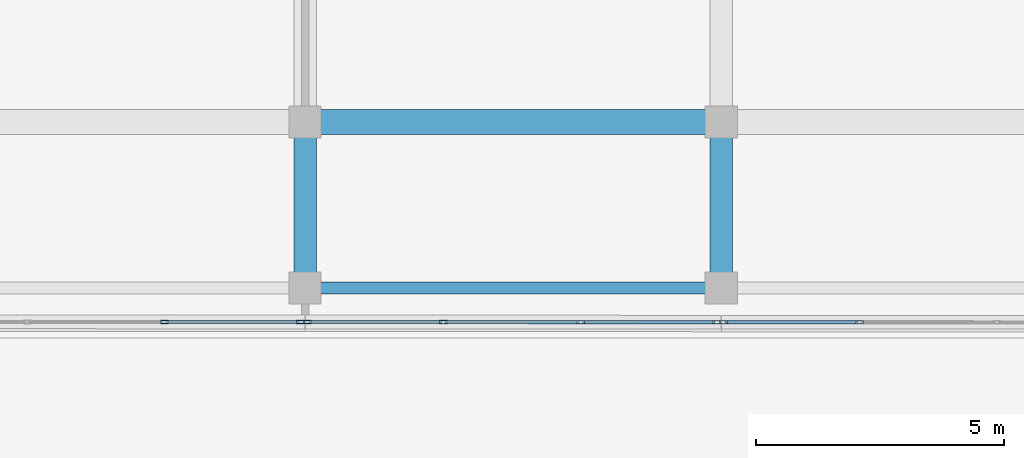
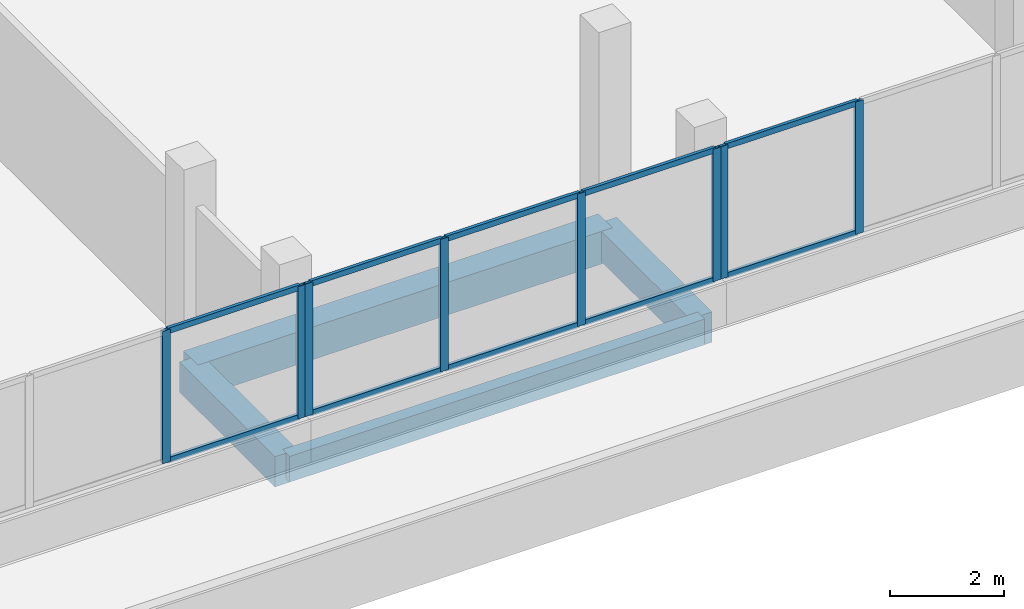
# One storey, part 15 of 78: 18 members, 4 beams, 3 elements without a shape of their own.
"""IFC4 building model written with IfcOpenShell, lengths in metres."""

from ifc_helpers import new_model, si_unit, direction, frame, origin, origin_2d, place, context, subcontext, project, spatial, rectangle, hollow_rectangle, extrude, material, material_profile, profile_set, type_object, element, aggregate, save


model = new_model("IFC4")

# Units and contexts
model_context = context("Model", 3, precision=1e-05, world=origin(), true_north=direction((0.0, 1.0)))
body_context = subcontext(model_context, "Body", "Model", "MODEL_VIEW")
ifc_project = project(units=[si_unit("LENGTHUNIT", "METRE"), si_unit("AREAUNIT", "SQUARE_METRE"), si_unit("VOLUMEUNIT", "CUBIC_METRE"), si_unit("PLANEANGLEUNIT", "RADIAN"), si_unit("MASSUNIT", "GRAM", prefix="KILO")], contexts=[model_context])

# Site, building, storey
site_placement = place(None, origin())
site = spatial("IfcSite", under=ifc_project, at=site_placement, CompositionType="ELEMENT")
building_placement = place(site_placement, origin())
building = spatial("IfcBuilding", under=site, at=building_placement, Name="Selatvlak General Hospital", CompositionType="ELEMENT")
storey_placement = place(building_placement, frame((0.0, 0.0, 23.25)))
storey = spatial("IfcBuildingStorey", under=building, at=storey_placement, Name="L05", CompositionType="ELEMENT", Elevation=23.25)

# Beams
ifc_material_1 = material(Name="Concrete C40/50", Category="concrete")
ifc_material_profile_1 = material_profile(ifc_material_1, rectangle(XDim=0.5, YDim=0.699951171875, at=origin_2d()), Name="RC-BM 500x700")
ifc_profile_set_1 = profile_set([ifc_material_profile_1], Name="Concrete C40/50")
beam_type_1 = type_object("IfcBeamType", Name="BM-G03", PredefinedType="BEAM", material=ifc_profile_set_1)
beam_1_placement = place(storey_placement, frame((98.39990234375, 92.0, -0.6298828125), z_axis=(1.0, 0.0, 0.0), x_axis=(0.0, 1.0, 0.0)))
element("IfcBeam", 1, at=beam_1_placement, inside=storey, type_object=beam_type_1, Name="Beam BMR-L05-1911", PredefinedType="BEAM", context=body_context, shape_type="SweptSolid", body=[
    extrude(rectangle(XDim=0.5, YDim=0.699951171875, at=origin_2d()), origin(), (0.0, 0.0, 1.0), 8.400146484375),
])
ifc_material_profile_2 = material_profile(ifc_material_1, rectangle(XDim=0.449951171875, YDim=0.64990234375, at=origin_2d()), Name="RC-BM 450x650")
ifc_profile_set_2 = profile_set([ifc_material_profile_2], Name="Concrete C40/50")
beam_type_2 = type_object("IfcBeamType", Name="BM-G04", PredefinedType="BEAM", material=ifc_profile_set_2)
for number, where, z_axis, x_axis, name in (
    (2, (98.39990234375, 88.64990234375, -0.60498046875), (0.0, 1.0, 0.0), (-1.0, 0.0, 0.0), "Beam BMR-L05-2033"),
    (3, (106.800048828125, 88.64990234375, -0.60498046875), (0.0, 1.0, 0.0), (-1.0, 0.0, 0.0), "Beam BMR-L05-2037"),
):
    element("IfcBeam", number, at=place(storey_placement, frame(where, z_axis=z_axis, x_axis=x_axis)), inside=storey, type_object=beam_type_2, Name=name, PredefinedType="BEAM", context=body_context, shape_type="SweptSolid", body=[
        extrude(rectangle(XDim=0.449951171875, YDim=0.64990234375, at=origin_2d()), origin(), (0.0, 0.0, 1.0), 3.35009765625),
    ])
ifc_material_profile_3 = material_profile(ifc_material_1, rectangle(XDim=0.25, YDim=0.550048828125, at=origin_2d()), Name="RC-SP 250x550")
ifc_profile_set_3 = profile_set([ifc_material_profile_3], Name="Concrete C40/50")
beam_type_3 = type_object("IfcBeamType", Name="BM-SP2", PredefinedType="SPANDREL", material=ifc_profile_set_3)
beam_2_placement = place(storey_placement, frame((98.39990234375, 88.64990234375, -0.554931640625), z_axis=(1.0, 0.0, 0.0), x_axis=(0.0, 1.0, 0.0)))
element("IfcBeam", 4, at=beam_2_placement, inside=storey, type_object=beam_type_3, Name="Beam BMR-L05-1891", PredefinedType="SPANDREL", context=body_context, shape_type="SweptSolid", body=[
    extrude(rectangle(XDim=0.25, YDim=0.550048828125, at=origin_2d()), origin(), (0.0, 0.0, 1.0), 8.400146484375),
])

# Curtain wall, members
ifc_material_2 = material(Name="Solar-control Low-E double glazing", Category="glass")
curtain_wall_type_1 = type_object("IfcCurtainWallType", Name="CW-CW-01", PredefinedType="USERDEFINED", material=ifc_material_2)
curtain_wall_1_placement = place(storey_placement, origin())
curtain_wall_1 = element("IfcCurtainWall", 5, at=curtain_wall_1_placement, inside=storey, type_object=curtain_wall_type_1, Name="Glazed facade curtain wall CW-L05-0583", ObjectType="UNITISED CURTAIN WALL", PredefinedType="USERDEFINED")
ifc_material_3 = material(Name="Dark anodised aluminium mullion", Category="aluminium")
ifc_material_profile_4 = material_profile(ifc_material_3, hollow_rectangle(XDim=0.06494140625, YDim=0.159912109375, WallThickness=0.00390625, at=origin_2d()), Name="AL-MUL 65x160x4")
ifc_profile_set_4 = profile_set([ifc_material_profile_4], Name="Dark anodised aluminium mullion")
member_type_1 = type_object("IfcMemberType", Name="CWM-01", PredefinedType="MULLION", material=ifc_profile_set_4)
member_1_placement = place(storey_placement, frame((109.58837890625, 87.958740234375, 0.93994140625), z_axis=(0.0, 0.0, 1.0), x_axis=(-0.00048076918, -0.99999988443, 0.0)))
member_1 = element("IfcMember", 6, at=member_1_placement, type_object=member_type_1, Name="CW-01 mullion 3", PredefinedType="MULLION", context=body_context, shape_type="SweptSolid", body=[
    extrude(hollow_rectangle(XDim=0.06494140625, YDim=0.159912109375, WallThickness=0.00390625, at=origin_2d()), origin(), (0.0, 0.0, 1.0), 2.8349609375),
])
member_2_placement = place(storey_placement, frame((106.847412109375, 87.9599609375, 0.93994140625), z_axis=(0.0, 0.0, 1.0), x_axis=(-0.00048076918, -0.99999988443, 0.0)))
member_2 = element("IfcMember", 7, at=member_2_placement, type_object=member_type_1, Name="CW-01 mullion 4", PredefinedType="MULLION", context=body_context, shape_type="SweptSolid", body=[
    extrude(hollow_rectangle(XDim=0.06494140625, YDim=0.159912109375, WallThickness=0.00390625, at=origin_2d()), origin(), (0.0, 0.0, 1.0), 2.8349609375),
])

curtain_wall_type_2 = type_object("IfcCurtainWallType", Name="CW-CW-02", PredefinedType="USERDEFINED", material=ifc_material_2)
curtain_wall_2_placement = place(storey_placement, origin())
curtain_wall_2 = element("IfcCurtainWall", 8, at=curtain_wall_2_placement, inside=storey, type_object=curtain_wall_type_2, Name="Glazed facade curtain wall CW-L05-0584", ObjectType="UNITISED CURTAIN WALL", PredefinedType="USERDEFINED")
member_3_placement = place(storey_placement, frame((106.702392578125, 87.9599609375, 0.93994140625), z_axis=(0.0, 0.0, 1.0), x_axis=(-0.00048076918, -0.99999988443, 0.0)))
member_3 = element("IfcMember", 9, at=member_3_placement, type_object=member_type_1, Name="CW-02 mullion 1", PredefinedType="MULLION", context=body_context, shape_type="SweptSolid", body=[
    extrude(hollow_rectangle(XDim=0.06494140625, YDim=0.159912109375, WallThickness=0.00390625, at=origin_2d()), origin(), (0.0, 0.0, 1.0), 2.8349609375),
])
member_4_placement = place(storey_placement, frame((103.961669921875, 87.96142578125, 0.93994140625), z_axis=(0.0, 0.0, 1.0), x_axis=(-0.00048076918, -0.99999988443, 0.0)))
member_4 = element("IfcMember", 10, at=member_4_placement, type_object=member_type_1, Name="CW-02 mullion 2", PredefinedType="MULLION", context=body_context, shape_type="SweptSolid", body=[
    extrude(hollow_rectangle(XDim=0.06494140625, YDim=0.159912109375, WallThickness=0.00390625, at=origin_2d()), origin(), (0.0, 0.0, 1.0), 2.8349609375),
])
member_5_placement = place(storey_placement, frame((101.188232421875, 87.962646484375, 0.93994140625), z_axis=(0.0, 0.0, 1.0), x_axis=(-0.00048076918, -0.99999988443, 0.0)))
member_5 = element("IfcMember", 11, at=member_5_placement, type_object=member_type_1, Name="CW-02 mullion 3", PredefinedType="MULLION", context=body_context, shape_type="SweptSolid", body=[
    extrude(hollow_rectangle(XDim=0.06494140625, YDim=0.159912109375, WallThickness=0.00390625, at=origin_2d()), origin(), (0.0, 0.0, 1.0), 2.8349609375),
])
member_6_placement = place(storey_placement, frame((98.447509765625, 87.9638671875, 0.93994140625), z_axis=(0.0, 0.0, 1.0), x_axis=(-0.00048076918, -0.99999988443, 0.0)))
member_6 = element("IfcMember", 12, at=member_6_placement, type_object=member_type_1, Name="CW-02 mullion 4", PredefinedType="MULLION", context=body_context, shape_type="SweptSolid", body=[
    extrude(hollow_rectangle(XDim=0.06494140625, YDim=0.159912109375, WallThickness=0.00390625, at=origin_2d()), origin(), (0.0, 0.0, 1.0), 2.8349609375),
])

curtain_wall_3_placement = place(storey_placement, origin())
curtain_wall_3 = element("IfcCurtainWall", 13, at=curtain_wall_3_placement, inside=storey, type_object=curtain_wall_type_1, Name="Glazed facade curtain wall CW-L05-0585", ObjectType="UNITISED CURTAIN WALL", PredefinedType="USERDEFINED")
member_7_placement = place(storey_placement, frame((98.302490234375, 87.964111328125, 0.93994140625), z_axis=(0.0, 0.0, 1.0), x_axis=(-0.00048076918, -0.99999988443, 0.0)))
member_7 = element("IfcMember", 14, at=member_7_placement, type_object=member_type_1, Name="CW-01 mullion 1", PredefinedType="MULLION", context=body_context, shape_type="SweptSolid", body=[
    extrude(hollow_rectangle(XDim=0.06494140625, YDim=0.159912109375, WallThickness=0.00390625, at=origin_2d()), origin(), (0.0, 0.0, 1.0), 2.8349609375),
])
member_8_placement = place(storey_placement, frame((95.561767578125, 87.96533203125, 0.93994140625), z_axis=(0.0, 0.0, 1.0), x_axis=(-0.00048076918, -0.99999988443, 0.0)))
member_8 = element("IfcMember", 15, at=member_8_placement, type_object=member_type_1, Name="CW-01 mullion 2", PredefinedType="MULLION", context=body_context, shape_type="SweptSolid", body=[
    extrude(hollow_rectangle(XDim=0.06494140625, YDim=0.159912109375, WallThickness=0.00390625, at=origin_2d()), origin(), (0.0, 0.0, 1.0), 2.8349609375),
])

# Member
ifc_material_profile_5 = material_profile(ifc_material_3, hollow_rectangle(XDim=0.06494140625, YDim=0.1201171875, WallThickness=0.00390625, at=origin_2d()), Name="AL-TRN 65x120x4")
ifc_profile_set_5 = profile_set([ifc_material_profile_5], Name="Dark anodised aluminium mullion")
member_type_2 = type_object("IfcMemberType", Name="CWT-01", PredefinedType="USERDEFINED", material=ifc_profile_set_5)
member_9_placement = place(storey_placement, frame((109.555908203125, 87.958740234375, 0.972412109375), z_axis=(-0.999999895958, 0.000456162711, 0.0), x_axis=(-0.000456162711, -0.999999895958, 0.0)))
member_9 = element("IfcMember", 16, at=member_9_placement, type_object=member_type_2, Name="CW-01 transom 3.1", ObjectType="TRANSOM", PredefinedType="USERDEFINED", context=body_context, shape_type="SweptSolid", body=[
    extrude(hollow_rectangle(XDim=0.06494140625, YDim=0.1201171875, WallThickness=0.00390625, at=origin_2d()), origin(), (0.0, 0.0, 1.0), 2.676025390625),
])

member_10_placement = place(storey_placement, frame((109.555908203125, 87.958740234375, 3.742431640625), z_axis=(-0.999999895958, 0.000456162711, 0.0), x_axis=(-0.000456162711, -0.999999895958, 0.0)))
member_10 = element("IfcMember", 17, at=member_10_placement, type_object=member_type_2, Name="CW-01 transom 3.2", ObjectType="TRANSOM", PredefinedType="USERDEFINED", context=body_context, shape_type="SweptSolid", body=[
    extrude(hollow_rectangle(XDim=0.06494140625, YDim=0.1201171875, WallThickness=0.00390625, at=origin_2d()), origin(), (0.0, 0.0, 1.0), 2.676025390625),
])

aggregate(curtain_wall_1, [member_1, member_2, member_9, member_10])

member_11_placement = place(storey_placement, frame((106.669921875, 87.9599609375, 0.972412109375), z_axis=(-0.999999850152, 0.000547445173, 0.0), x_axis=(-0.000547445173, -0.999999850152, 0.0)))
member_11 = element("IfcMember", 18, at=member_11_placement, type_object=member_type_2, Name="CW-02 transom 1.1", ObjectType="TRANSOM", PredefinedType="USERDEFINED", context=body_context, shape_type="SweptSolid", body=[
    extrude(hollow_rectangle(XDim=0.06494140625, YDim=0.1201171875, WallThickness=0.00390625, at=origin_2d()), origin(), (0.0, 0.0, 1.0), 2.67578125),
])

member_12_placement = place(storey_placement, frame((106.669921875, 87.9599609375, 3.742431640625), z_axis=(-0.999999850152, 0.000547445173, 0.0), x_axis=(-0.000547445173, -0.999999850152, 0.0)))
member_12 = element("IfcMember", 19, at=member_12_placement, type_object=member_type_2, Name="CW-02 transom 1.2", ObjectType="TRANSOM", PredefinedType="USERDEFINED", context=body_context, shape_type="SweptSolid", body=[
    extrude(hollow_rectangle(XDim=0.06494140625, YDim=0.1201171875, WallThickness=0.00390625, at=origin_2d()), origin(), (0.0, 0.0, 1.0), 2.67578125),
])

member_13_placement = place(storey_placement, frame((103.92919921875, 87.96142578125, 0.972412109375), z_axis=(-0.999999898419, 0.000450734652, 0.0), x_axis=(-0.000450734652, -0.999999898419, 0.0)))
member_13 = element("IfcMember", 20, at=member_13_placement, type_object=member_type_2, Name="CW-02 transom 2.1", ObjectType="TRANSOM", PredefinedType="USERDEFINED", context=body_context, shape_type="SweptSolid", body=[
    extrude(hollow_rectangle(XDim=0.06494140625, YDim=0.1201171875, WallThickness=0.00390625, at=origin_2d()), origin(), (0.0, 0.0, 1.0), 2.708251953125),
])

member_14_placement = place(storey_placement, frame((103.92919921875, 87.96142578125, 3.742431640625), z_axis=(-0.999999898419, 0.000450734652, 0.0), x_axis=(-0.000450734652, -0.999999898419, 0.0)))
member_14 = element("IfcMember", 21, at=member_14_placement, type_object=member_type_2, Name="CW-02 transom 2.2", ObjectType="TRANSOM", PredefinedType="USERDEFINED", context=body_context, shape_type="SweptSolid", body=[
    extrude(hollow_rectangle(XDim=0.06494140625, YDim=0.1201171875, WallThickness=0.00390625, at=origin_2d()), origin(), (0.0, 0.0, 1.0), 2.708251953125),
])

member_15_placement = place(storey_placement, frame((101.15576171875, 87.962646484375, 0.972412109375), z_axis=(-0.999999895939, 0.000456204332, 0.0), x_axis=(-0.000456204332, -0.999999895939, 0.0)))
member_15 = element("IfcMember", 22, at=member_15_placement, type_object=member_type_2, Name="CW-02 transom 3.1", ObjectType="TRANSOM", PredefinedType="USERDEFINED", context=body_context, shape_type="SweptSolid", body=[
    extrude(hollow_rectangle(XDim=0.06494140625, YDim=0.1201171875, WallThickness=0.00390625, at=origin_2d()), origin(), (0.0, 0.0, 1.0), 2.67578125),
])

member_16_placement = place(storey_placement, frame((101.15576171875, 87.962646484375, 3.742431640625), z_axis=(-0.999999895939, 0.000456204332, 0.0), x_axis=(-0.000456204332, -0.999999895939, 0.0)))
member_16 = element("IfcMember", 23, at=member_16_placement, type_object=member_type_2, Name="CW-02 transom 3.2", ObjectType="TRANSOM", PredefinedType="USERDEFINED", context=body_context, shape_type="SweptSolid", body=[
    extrude(hollow_rectangle(XDim=0.06494140625, YDim=0.1201171875, WallThickness=0.00390625, at=origin_2d()), origin(), (0.0, 0.0, 1.0), 2.67578125),
])

aggregate(curtain_wall_2, [member_3, member_4, member_5, member_6, member_11, member_12, member_13, member_14, member_15, member_16])

member_17_placement = place(storey_placement, frame((98.27001953125, 87.964111328125, 0.972412109375), z_axis=(-0.999999895939, 0.000456204332, 0.0), x_axis=(-0.000456204332, -0.999999895939, 0.0)))
member_17 = element("IfcMember", 24, at=member_17_placement, type_object=member_type_2, Name="CW-01 transom 1.1", ObjectType="TRANSOM", PredefinedType="USERDEFINED", context=body_context, shape_type="SweptSolid", body=[
    extrude(hollow_rectangle(XDim=0.06494140625, YDim=0.1201171875, WallThickness=0.00390625, at=origin_2d()), origin(), (0.0, 0.0, 1.0), 2.67578125),
])

member_18_placement = place(storey_placement, frame((98.27001953125, 87.964111328125, 3.742431640625), z_axis=(-0.999999895939, 0.000456204332, 0.0), x_axis=(-0.000456204332, -0.999999895939, 0.0)))
member_18 = element("IfcMember", 25, at=member_18_placement, type_object=member_type_2, Name="CW-01 transom 1.2", ObjectType="TRANSOM", PredefinedType="USERDEFINED", context=body_context, shape_type="SweptSolid", body=[
    extrude(hollow_rectangle(XDim=0.06494140625, YDim=0.1201171875, WallThickness=0.00390625, at=origin_2d()), origin(), (0.0, 0.0, 1.0), 2.67578125),
])

aggregate(curtain_wall_3, [member_7, member_8, member_17, member_18])

save(model, "model.ifc")
